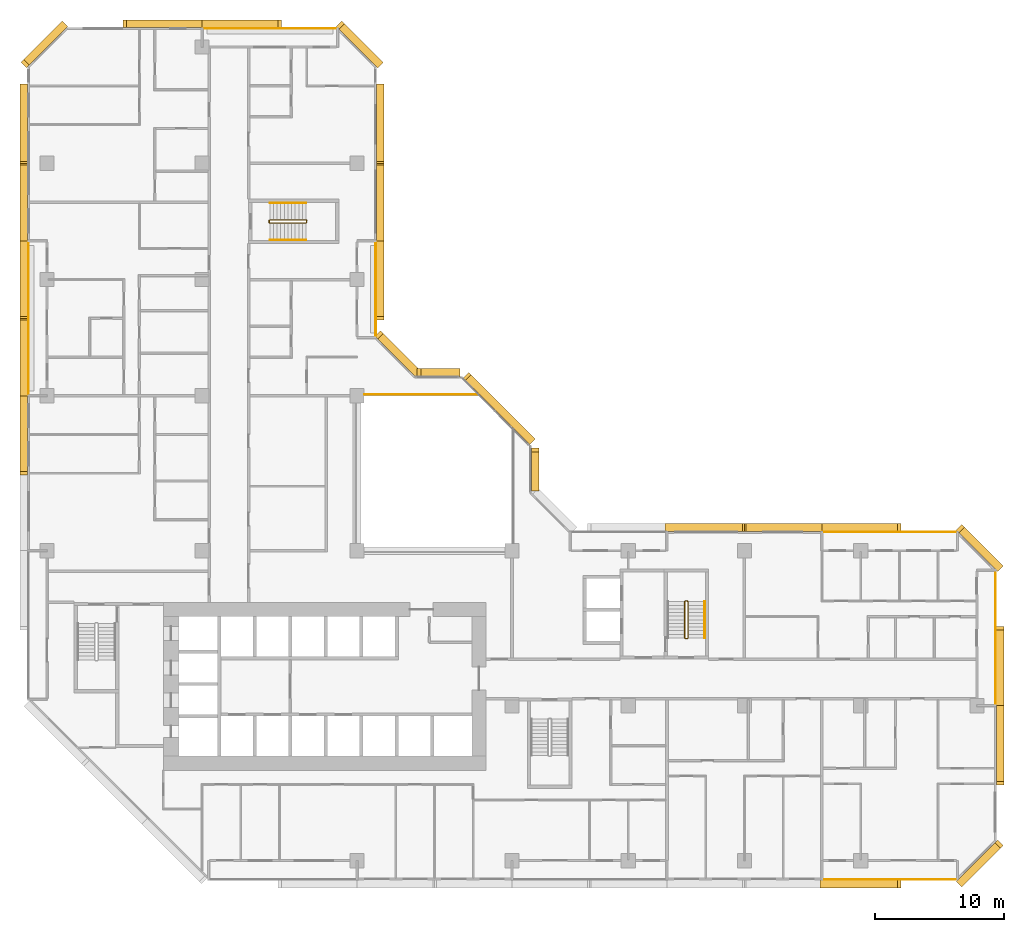
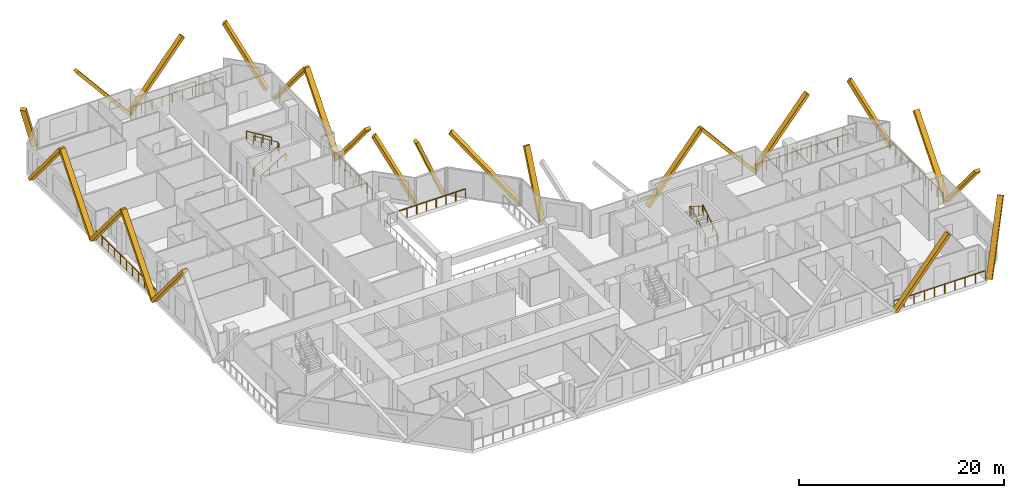
# One storey, part 15 of 15: 24 coverings, 12 railings.
"""IFC4 building model written with IfcOpenShell, lengths in metres."""

from ifc_helpers import new_model, si_unit, direction, frame, origin, origin_2d, place, context, subcontext, project, spatial, rectangle, extrude, material, material_profile, profile_set, type_object, element, save


model = new_model("IFC4")

# Units and contexts
model_context = context("Model", 3, precision=1e-05, world=origin(), true_north=direction((0.0, 1.0)))
body_context = subcontext(model_context, "Body", "Model", "MODEL_VIEW")
ifc_project = project(units=[si_unit("LENGTHUNIT", "METRE"), si_unit("AREAUNIT", "SQUARE_METRE"), si_unit("VOLUMEUNIT", "CUBIC_METRE"), si_unit("PLANEANGLEUNIT", "RADIAN"), si_unit("MASSUNIT", "GRAM", prefix="KILO")], contexts=[model_context])

# Site, building, storey
site_placement = place(None, origin())
site = spatial("IfcSite", under=ifc_project, at=site_placement, CompositionType="ELEMENT")
building_placement = place(site_placement, origin())
building = spatial("IfcBuilding", under=site, at=building_placement, Name="Chenar Terraces", CompositionType="ELEMENT")
storey_placement = place(building_placement, frame((0.0, 0.0, 41.39990234375)))
storey = spatial("IfcBuildingStorey", under=building, at=storey_placement, Name="L07", CompositionType="ELEMENT", Elevation=41.39990234375)

# Railings
ifc_material_1 = material(Name="Powder-coated steel", Category="steel")
railing_type_1 = type_object("IfcRailingType", Name="Guard 1100 steel rail with glass infill", PredefinedType="GUARDRAIL", material=ifc_material_1)
railing_1_placement = place(storey_placement, frame((24.60009765625, 36.10009765625, 0.0)))
element("IfcRailing", 1, at=railing_1_placement, inside=storey, type_object=railing_type_1, Name="Guard L07-2", PredefinedType="GUARDRAIL", context=body_context, shape_type="SweptSolid", body=[
    extrude(rectangle(XDim=0.06005859375, YDim=0.06005859375, at=origin_2d()), frame((0.0, 0.0, 1.070068359375), z_axis=(1.0, 0.0, 0.0), x_axis=(0.0, 1.0, 0.0)), (0.0, 0.0, 1.0), 8.7998046875),
    extrude(rectangle(XDim=0.050048828125, YDim=0.050048828125, at=origin_2d()), origin(), (0.0, 0.0, 1.0), 1.0400390625),
    extrude(rectangle(XDim=0.050048828125, YDim=0.050048828125, at=origin_2d()), frame((1.10009765625, 0.0, 0.0)), (0.0, 0.0, 1.0), 1.0400390625),
    extrude(rectangle(XDim=0.050048828125, YDim=0.050048828125, at=origin_2d()), frame((2.199951171875, 0.0, 0.0)), (0.0, 0.0, 1.0), 1.0400390625),
    extrude(rectangle(XDim=0.050048828125, YDim=0.050048828125, at=origin_2d()), frame((3.2998046875, 0.0, 0.0)), (0.0, 0.0, 1.0), 1.0400390625),
    extrude(rectangle(XDim=0.050048828125, YDim=0.050048828125, at=origin_2d()), frame((4.39990234375, 0.0, 0.0)), (0.0, 0.0, 1.0), 1.0400390625),
    extrude(rectangle(XDim=0.050048828125, YDim=0.050048828125, at=origin_2d()), frame((5.5, 0.0, 0.0)), (0.0, 0.0, 1.0), 1.0400390625),
    extrude(rectangle(XDim=0.050048828125, YDim=0.050048828125, at=origin_2d()), frame((6.599853515625, 0.0, 0.0)), (0.0, 0.0, 1.0), 1.0400390625),
    extrude(rectangle(XDim=0.050048828125, YDim=0.050048828125, at=origin_2d()), frame((7.69970703125, 0.0, 0.0)), (0.0, 0.0, 1.0), 1.0400390625),
    extrude(rectangle(XDim=0.050048828125, YDim=0.050048828125, at=origin_2d()), frame((8.7998046875, 0.0, 0.0)), (0.0, 0.0, 1.0), 1.0400390625),
])
ifc_material_2 = material(Name="Stainless steel and glass", Category="steel")
railing_type_2 = type_object("IfcRailingType", Name="Loggia guard 1150", PredefinedType="GUARDRAIL", material=ifc_material_2)
railing_2_placement = place(storey_placement, frame((25.449951171875, 40.574951171875, 0.0)))
element("IfcRailing", 2, at=railing_2_placement, inside=storey, type_object=railing_type_2, Name="Loggia guard", PredefinedType="GUARDRAIL", context=body_context, shape_type="SweptSolid", body=[
    extrude(rectangle(XDim=0.048095703125, YDim=0.048095703125, at=origin_2d()), frame((0.0, 0.0, 1.1259765625), z_axis=(0.0, 1.0, 0.0), x_axis=(-1.0, 0.0, 0.0)), (0.0, 0.0, 1.0), 7.35009765625),
    extrude(rectangle(XDim=0.0419921875, YDim=0.0419921875, at=origin_2d()), origin(), (0.0, 0.0, 1.0), 1.101806640625),
    extrude(rectangle(XDim=0.0419921875, YDim=0.0419921875, at=origin_2d()), frame((0.0, 1.050048828125, 0.0)), (0.0, 0.0, 1.0), 1.101806640625),
    extrude(rectangle(XDim=0.0419921875, YDim=0.0419921875, at=origin_2d()), frame((0.0, 2.10009765625, 0.0)), (0.0, 0.0, 1.0), 1.101806640625),
    extrude(rectangle(XDim=0.0419921875, YDim=0.0419921875, at=origin_2d()), frame((0.0, 3.150146484375, 0.0)), (0.0, 0.0, 1.0), 1.101806640625),
    extrude(rectangle(XDim=0.0419921875, YDim=0.0419921875, at=origin_2d()), frame((0.0, 4.199951171875, 0.0)), (0.0, 0.0, 1.0), 1.101806640625),
    extrude(rectangle(XDim=0.0419921875, YDim=0.0419921875, at=origin_2d()), frame((0.0, 5.25, 0.0)), (0.0, 0.0, 1.0), 1.101806640625),
    extrude(rectangle(XDim=0.0419921875, YDim=0.0419921875, at=origin_2d()), frame((0.0, 6.300048828125, 0.0)), (0.0, 0.0, 1.0), 1.101806640625),
    extrude(rectangle(XDim=0.0419921875, YDim=0.0419921875, at=origin_2d()), frame((0.0, 7.35009765625, 0.0)), (0.0, 0.0, 1.0), 1.101806640625),
])
railing_3_placement = place(storey_placement, frame((73.449951171875, 12.074951171875, 0.0)))
element("IfcRailing", 3, at=railing_3_placement, inside=storey, type_object=railing_type_2, Name="Loggia guard", PredefinedType="GUARDRAIL", context=body_context, shape_type="SweptSolid", body=[
    extrude(rectangle(XDim=0.048095703125, YDim=0.048095703125, at=origin_2d()), frame((0.0, 0.0, 1.1259765625), z_axis=(0.0, 1.0, 0.0), x_axis=(-1.0, 0.0, 0.0)), (0.0, 0.0, 1.0), 10.35009765625),
    extrude(rectangle(XDim=0.0419921875, YDim=0.0419921875, at=origin_2d()), origin(), (0.0, 0.0, 1.0), 1.101806640625),
    extrude(rectangle(XDim=0.0419921875, YDim=0.0419921875, at=origin_2d()), frame((0.0, 1.14990234375, 0.0)), (0.0, 0.0, 1.0), 1.101806640625),
    extrude(rectangle(XDim=0.0419921875, YDim=0.0419921875, at=origin_2d()), frame((0.0, 2.300048828125, 0.0)), (0.0, 0.0, 1.0), 1.101806640625),
    extrude(rectangle(XDim=0.0419921875, YDim=0.0419921875, at=origin_2d()), frame((0.0, 3.449951171875, 0.0)), (0.0, 0.0, 1.0), 1.101806640625),
    extrude(rectangle(XDim=0.0419921875, YDim=0.0419921875, at=origin_2d()), frame((0.0, 4.60009765625, 0.0)), (0.0, 0.0, 1.0), 1.101806640625),
    extrude(rectangle(XDim=0.0419921875, YDim=0.0419921875, at=origin_2d()), frame((0.0, 5.75, 0.0)), (0.0, 0.0, 1.0), 1.101806640625),
    extrude(rectangle(XDim=0.0419921875, YDim=0.0419921875, at=origin_2d()), frame((0.0, 6.900146484375, 0.0)), (0.0, 0.0, 1.0), 1.101806640625),
    extrude(rectangle(XDim=0.0419921875, YDim=0.0419921875, at=origin_2d()), frame((0.0, 8.050048828125, 0.0)), (0.0, 0.0, 1.0), 1.101806640625),
    extrude(rectangle(XDim=0.0419921875, YDim=0.0419921875, at=origin_2d()), frame((0.0, 9.2001953125, 0.0)), (0.0, 0.0, 1.0), 1.101806640625),
    extrude(rectangle(XDim=0.0419921875, YDim=0.0419921875, at=origin_2d()), frame((0.0, 10.35009765625, 0.0)), (0.0, 0.0, 1.0), 1.101806640625),
])
for number, where, name in (
    (4, (70.425048828125, 25.449951171875, 0.0), "Loggia guard"),
    (5, (22.425048828125, 64.449951171875, 0.0), "Loggia guard"),
):
    element("IfcRailing", number, at=place(storey_placement, frame(where)), inside=storey, type_object=railing_type_2, Name=name, PredefinedType="GUARDRAIL", context=body_context, shape_type="SweptSolid", body=[
        extrude(rectangle(XDim=0.048095703125, YDim=0.048095703125, at=origin_2d()), frame((0.0, 0.0, 1.1259765625), z_axis=(-1.0, 0.0, 0.0), x_axis=(0.0, -1.0, 0.0)), (0.0, 0.0, 1.0), 10.35009765625),
        extrude(rectangle(XDim=0.0419921875, YDim=0.0419921875, at=origin_2d()), origin(), (0.0, 0.0, 1.0), 1.101806640625),
        extrude(rectangle(XDim=0.0419921875, YDim=0.0419921875, at=origin_2d()), frame((-1.14990234375, 0.0, 0.0)), (0.0, 0.0, 1.0), 1.101806640625),
        extrude(rectangle(XDim=0.0419921875, YDim=0.0419921875, at=origin_2d()), frame((-2.300048828125, 0.0, 0.0)), (0.0, 0.0, 1.0), 1.101806640625),
        extrude(rectangle(XDim=0.0419921875, YDim=0.0419921875, at=origin_2d()), frame((-3.449951171875, 0.0, 0.0)), (0.0, 0.0, 1.0), 1.101806640625),
        extrude(rectangle(XDim=0.0419921875, YDim=0.0419921875, at=origin_2d()), frame((-4.60009765625, 0.0, 0.0)), (0.0, 0.0, 1.0), 1.101806640625),
        extrude(rectangle(XDim=0.0419921875, YDim=0.0419921875, at=origin_2d()), frame((-5.75, 0.0, 0.0)), (0.0, 0.0, 1.0), 1.101806640625),
        extrude(rectangle(XDim=0.0419921875, YDim=0.0419921875, at=origin_2d()), frame((-6.900146484375, 0.0, 0.0)), (0.0, 0.0, 1.0), 1.101806640625),
        extrude(rectangle(XDim=0.0419921875, YDim=0.0419921875, at=origin_2d()), frame((-8.050048828125, 0.0, 0.0)), (0.0, 0.0, 1.0), 1.101806640625),
        extrude(rectangle(XDim=0.0419921875, YDim=0.0419921875, at=origin_2d()), frame((-9.2001953125, 0.0, 0.0)), (0.0, 0.0, 1.0), 1.101806640625),
        extrude(rectangle(XDim=0.0419921875, YDim=0.0419921875, at=origin_2d()), frame((-10.35009765625, 0.0, 0.0)), (0.0, 0.0, 1.0), 1.101806640625),
    ])
railing_4_placement = place(storey_placement, frame((60.074951171875, -1.449951171875, 0.0)))
element("IfcRailing", 6, at=railing_4_placement, inside=storey, type_object=railing_type_2, Name="Loggia guard", PredefinedType="GUARDRAIL", context=body_context, shape_type="SweptSolid", body=[
    extrude(rectangle(XDim=0.048095703125, YDim=0.048095703125, at=origin_2d()), frame((0.0, 0.0, 1.1259765625), z_axis=(1.0, 0.0, 0.0), x_axis=(0.0, 1.0, 0.0)), (0.0, 0.0, 1.0), 10.35009765625),
    extrude(rectangle(XDim=0.0419921875, YDim=0.0419921875, at=origin_2d()), origin(), (0.0, 0.0, 1.0), 1.101806640625),
    extrude(rectangle(XDim=0.0419921875, YDim=0.0419921875, at=origin_2d()), frame((1.14990234375, 0.0, 0.0)), (0.0, 0.0, 1.0), 1.101806640625),
    extrude(rectangle(XDim=0.0419921875, YDim=0.0419921875, at=origin_2d()), frame((2.300048828125, 0.0, 0.0)), (0.0, 0.0, 1.0), 1.101806640625),
    extrude(rectangle(XDim=0.0419921875, YDim=0.0419921875, at=origin_2d()), frame((3.449951171875, 0.0, 0.0)), (0.0, 0.0, 1.0), 1.101806640625),
    extrude(rectangle(XDim=0.0419921875, YDim=0.0419921875, at=origin_2d()), frame((4.60009765625, 0.0, 0.0)), (0.0, 0.0, 1.0), 1.101806640625),
    extrude(rectangle(XDim=0.0419921875, YDim=0.0419921875, at=origin_2d()), frame((5.75, 0.0, 0.0)), (0.0, 0.0, 1.0), 1.101806640625),
    extrude(rectangle(XDim=0.0419921875, YDim=0.0419921875, at=origin_2d()), frame((6.900146484375, 0.0, 0.0)), (0.0, 0.0, 1.0), 1.101806640625),
    extrude(rectangle(XDim=0.0419921875, YDim=0.0419921875, at=origin_2d()), frame((8.050048828125, 0.0, 0.0)), (0.0, 0.0, 1.0), 1.101806640625),
    extrude(rectangle(XDim=0.0419921875, YDim=0.0419921875, at=origin_2d()), frame((9.2001953125, 0.0, 0.0)), (0.0, 0.0, 1.0), 1.101806640625),
    extrude(rectangle(XDim=0.0419921875, YDim=0.0419921875, at=origin_2d()), frame((10.35009765625, 0.0, 0.0)), (0.0, 0.0, 1.0), 1.101806640625),
])
railing_5_placement = place(storey_placement, frame((-1.449951171875, 47.925048828125, 0.0)))
element("IfcRailing", 7, at=railing_5_placement, inside=storey, type_object=railing_type_2, Name="Loggia guard", PredefinedType="GUARDRAIL", context=body_context, shape_type="SweptSolid", body=[
    extrude(rectangle(XDim=0.048095703125, YDim=0.048095703125, at=origin_2d()), frame((0.0, 0.0, 1.1259765625), z_axis=(0.0, -1.0, 0.0), x_axis=(1.0, 0.0, 0.0)), (0.0, 0.0, 1.0), 11.85009765625),
    extrude(rectangle(XDim=0.0419921875, YDim=0.0419921875, at=origin_2d()), origin(), (0.0, 0.0, 1.0), 1.101806640625),
    extrude(rectangle(XDim=0.0419921875, YDim=0.0419921875, at=origin_2d()), frame((0.0, -1.18505859375, 0.0)), (0.0, 0.0, 1.0), 1.101806640625),
    extrude(rectangle(XDim=0.0419921875, YDim=0.0419921875, at=origin_2d()), frame((0.0, -2.3701171875, 0.0)), (0.0, 0.0, 1.0), 1.101806640625),
    extrude(rectangle(XDim=0.0419921875, YDim=0.0419921875, at=origin_2d()), frame((0.0, -3.554931640625, 0.0)), (0.0, 0.0, 1.0), 1.101806640625),
    extrude(rectangle(XDim=0.0419921875, YDim=0.0419921875, at=origin_2d()), frame((0.0, -4.739990234375, 0.0)), (0.0, 0.0, 1.0), 1.101806640625),
    extrude(rectangle(XDim=0.0419921875, YDim=0.0419921875, at=origin_2d()), frame((0.0, -5.925048828125, 0.0)), (0.0, 0.0, 1.0), 1.101806640625),
    extrude(rectangle(XDim=0.0419921875, YDim=0.0419921875, at=origin_2d()), frame((0.0, -7.110107421875, 0.0)), (0.0, 0.0, 1.0), 1.101806640625),
    extrude(rectangle(XDim=0.0419921875, YDim=0.0419921875, at=origin_2d()), frame((0.0, -8.295166015625, 0.0)), (0.0, 0.0, 1.0), 1.101806640625),
    extrude(rectangle(XDim=0.0419921875, YDim=0.0419921875, at=origin_2d()), frame((0.0, -9.47998046875, 0.0)), (0.0, 0.0, 1.0), 1.101806640625),
    extrude(rectangle(XDim=0.0419921875, YDim=0.0419921875, at=origin_2d()), frame((0.0, -10.6650390625, 0.0)), (0.0, 0.0, 1.0), 1.101806640625),
    extrude(rectangle(XDim=0.0419921875, YDim=0.0419921875, at=origin_2d()), frame((0.0, -11.85009765625, 0.0)), (0.0, 0.0, 1.0), 1.101806640625),
])
ifc_material_3 = material(Name="Powder-coated steel", Category="steel")
railing_type_3 = type_object("IfcRailingType", Name="Stair guard 1100", PredefinedType="GUARDRAIL", material=ifc_material_3)
railing_6_placement = place(storey_placement, frame((49.375, 17.25, 3.75)))
element("IfcRailing", 8, at=railing_6_placement, inside=storey, type_object=railing_type_3, Name="L07 ST3 stair guard 1", PredefinedType="GUARDRAIL", context=body_context, shape_type="SweptSolid", body=[
    extrude(rectangle(XDim=0.048095703125, YDim=0.048095703125, at=origin_2d()), frame((0.0, 0.0, 1.076171875), z_axis=(0.0, 0.854202870247, -0.519939858505), x_axis=(-1.0, 0.0, 0.0)), (0.0, 0.0, 1.0), 3.278076171875),
    extrude(rectangle(XDim=0.048095703125, YDim=0.048095703125, at=origin_2d()), frame((0.0, 2.800048828125, -0.62841796875), z_axis=(0.270899902878, 0.270899902878, -0.923702595667), x_axis=(-0.707106781187, 0.707106781187, 0.0)), (0.0, 0.0, 1.0), 0.184814453125),
    extrude(rectangle(XDim=0.048095703125, YDim=0.048095703125, at=origin_2d()), frame((0.050048828125, 2.85009765625, -0.798828125), z_axis=(1.0, 0.0, 0.0), x_axis=(0.0, 1.0, 0.0)), (0.0, 0.0, 1.0), 0.14990234375),
    extrude(rectangle(XDim=0.048095703125, YDim=0.048095703125, at=origin_2d()), frame((0.199951171875, 2.85009765625, -0.798828125), z_axis=(0.707106781187, -0.707106781187, 0.0), x_axis=(0.707106781187, 0.707106781187, 0.0)), (0.0, 0.0, 1.0), 0.07080078125),
    extrude(rectangle(XDim=0.048095703125, YDim=0.048095703125, at=origin_2d()), frame((0.25, 2.800048828125, -0.798828125), z_axis=(0.0, -0.854202870247, -0.519939858505), x_axis=(1.0, 0.0, 0.0)), (0.0, 0.0, 1.0), 3.278076171875),
    extrude(rectangle(XDim=0.048095703125, YDim=0.048095703125, at=origin_2d()), frame((0.25, 0.0, -2.50341796875), z_axis=(-0.270899902878, -0.270899902878, -0.923702595667), x_axis=(0.707106781187, -0.707106781187, 0.0)), (0.0, 0.0, 1.0), 0.184814453125),
    extrude(rectangle(XDim=0.048095703125, YDim=0.048095703125, at=origin_2d()), frame((0.199951171875, -0.050048828125, -2.673828125), z_axis=(-1.0, 0.0, 0.0), x_axis=(0.0, -1.0, 0.0)), (0.0, 0.0, 1.0), 0.14990234375),
    extrude(rectangle(XDim=0.0419921875, YDim=0.0419921875, at=origin_2d()), origin(), (0.0, 0.0, 1.0), 1.052001953125),
    extrude(rectangle(XDim=0.0419921875, YDim=0.0419921875, at=origin_2d()), frame((0.0, 0.933349609375, -0.568115234375)), (0.0, 0.0, 1.0), 1.052001953125),
    extrude(rectangle(XDim=0.0419921875, YDim=0.0419921875, at=origin_2d()), frame((0.0, 1.86669921875, -1.13623046875)), (0.0, 0.0, 1.0), 1.052001953125),
    extrude(rectangle(XDim=0.0419921875, YDim=0.0419921875, at=origin_2d()), frame((0.0, 2.800048828125, -1.704345703125)), (0.0, 0.0, 1.0), 1.052001953125),
    extrude(rectangle(XDim=0.0419921875, YDim=0.0419921875, at=origin_2d()), frame((0.050048828125, 2.85009765625, -1.875)), (0.0, 0.0, 1.0), 1.052001953125),
    extrude(rectangle(XDim=0.0419921875, YDim=0.0419921875, at=origin_2d()), frame((0.199951171875, 2.85009765625, -1.875)), (0.0, 0.0, 1.0), 1.052001953125),
    extrude(rectangle(XDim=0.0419921875, YDim=0.0419921875, at=origin_2d()), frame((0.25, 2.800048828125, -1.875)), (0.0, 0.0, 1.0), 1.052001953125),
    extrude(rectangle(XDim=0.0419921875, YDim=0.0419921875, at=origin_2d()), frame((0.25, 1.86669921875, -2.443115234375)), (0.0, 0.0, 1.0), 1.052001953125),
    extrude(rectangle(XDim=0.0419921875, YDim=0.0419921875, at=origin_2d()), frame((0.25, 0.933349609375, -3.01123046875)), (0.0, 0.0, 1.0), 1.052001953125),
    extrude(rectangle(XDim=0.0419921875, YDim=0.0419921875, at=origin_2d()), frame((0.25, 0.0, -3.579345703125)), (0.0, 0.0, 1.0), 1.052001953125),
    extrude(rectangle(XDim=0.0419921875, YDim=0.0419921875, at=origin_2d()), frame((0.199951171875, -0.050048828125, -3.75)), (0.0, 0.0, 1.0), 1.052001953125),
    extrude(rectangle(XDim=0.0419921875, YDim=0.0419921875, at=origin_2d()), frame((0.050048828125, -0.050048828125, -3.75)), (0.0, 0.0, 1.0), 1.052001953125),
])
railing_7_placement = place(storey_placement, frame((17.25, 49.625, 3.75)))
element("IfcRailing", 9, at=railing_7_placement, inside=storey, type_object=railing_type_3, Name="L07 ST4 stair guard 1", PredefinedType="GUARDRAIL", context=body_context, shape_type="SweptSolid", body=[
    extrude(rectangle(XDim=0.048095703125, YDim=0.048095703125, at=origin_2d()), frame((0.0, 0.0, 1.076171875), z_axis=(0.854202870247, 0.0, -0.519939858505), x_axis=(0.0, 1.0, 0.0)), (0.0, 0.0, 1.0), 3.278076171875),
    extrude(rectangle(XDim=0.048095703125, YDim=0.048095703125, at=origin_2d()), frame((2.800048828125, 0.0, -0.62841796875), z_axis=(0.270899902878, -0.270899902878, -0.923702595667), x_axis=(0.707106781187, 0.707106781187, 0.0)), (0.0, 0.0, 1.0), 0.184814453125),
    extrude(rectangle(XDim=0.048095703125, YDim=0.048095703125, at=origin_2d()), frame((2.85009765625, -0.050048828125, -0.798828125), z_axis=(0.0, -1.0, 0.0), x_axis=(1.0, 0.0, 0.0)), (0.0, 0.0, 1.0), 0.14990234375),
    extrude(rectangle(XDim=0.048095703125, YDim=0.048095703125, at=origin_2d()), frame((2.85009765625, -0.199951171875, -0.798828125), z_axis=(-0.707106781187, -0.707106781187, 0.0), x_axis=(0.707106781187, -0.707106781187, 0.0)), (0.0, 0.0, 1.0), 0.07080078125),
    extrude(rectangle(XDim=0.048095703125, YDim=0.048095703125, at=origin_2d()), frame((2.800048828125, -0.25, -0.798828125), z_axis=(-0.854202870247, 0.0, -0.519939858505), x_axis=(0.0, -1.0, 0.0)), (0.0, 0.0, 1.0), 3.278076171875),
    extrude(rectangle(XDim=0.048095703125, YDim=0.048095703125, at=origin_2d()), frame((0.0, -0.25, -2.50341796875), z_axis=(-0.270899902878, 0.270899902878, -0.923702595667), x_axis=(-0.707106781187, -0.707106781187, 0.0)), (0.0, 0.0, 1.0), 0.184814453125),
    extrude(rectangle(XDim=0.048095703125, YDim=0.048095703125, at=origin_2d()), frame((-0.050048828125, -0.199951171875, -2.673828125), z_axis=(0.0, 1.0, 0.0), x_axis=(-1.0, 0.0, 0.0)), (0.0, 0.0, 1.0), 0.14990234375),
    extrude(rectangle(XDim=0.0419921875, YDim=0.0419921875, at=origin_2d()), origin(), (0.0, 0.0, 1.0), 1.052001953125),
    extrude(rectangle(XDim=0.0419921875, YDim=0.0419921875, at=origin_2d()), frame((0.933349609375, 0.0, -0.568115234375)), (0.0, 0.0, 1.0), 1.052001953125),
    extrude(rectangle(XDim=0.0419921875, YDim=0.0419921875, at=origin_2d()), frame((1.86669921875, 0.0, -1.13623046875)), (0.0, 0.0, 1.0), 1.052001953125),
    extrude(rectangle(XDim=0.0419921875, YDim=0.0419921875, at=origin_2d()), frame((2.800048828125, 0.0, -1.704345703125)), (0.0, 0.0, 1.0), 1.052001953125),
    extrude(rectangle(XDim=0.0419921875, YDim=0.0419921875, at=origin_2d()), frame((2.85009765625, -0.050048828125, -1.875)), (0.0, 0.0, 1.0), 1.052001953125),
    extrude(rectangle(XDim=0.0419921875, YDim=0.0419921875, at=origin_2d()), frame((2.85009765625, -0.199951171875, -1.875)), (0.0, 0.0, 1.0), 1.052001953125),
    extrude(rectangle(XDim=0.0419921875, YDim=0.0419921875, at=origin_2d()), frame((2.800048828125, -0.25, -1.875)), (0.0, 0.0, 1.0), 1.052001953125),
    extrude(rectangle(XDim=0.0419921875, YDim=0.0419921875, at=origin_2d()), frame((1.86669921875, -0.25, -2.443115234375)), (0.0, 0.0, 1.0), 1.052001953125),
    extrude(rectangle(XDim=0.0419921875, YDim=0.0419921875, at=origin_2d()), frame((0.933349609375, -0.25, -3.01123046875)), (0.0, 0.0, 1.0), 1.052001953125),
    extrude(rectangle(XDim=0.0419921875, YDim=0.0419921875, at=origin_2d()), frame((0.0, -0.25, -3.579345703125)), (0.0, 0.0, 1.0), 1.052001953125),
    extrude(rectangle(XDim=0.0419921875, YDim=0.0419921875, at=origin_2d()), frame((-0.050048828125, -0.199951171875, -3.75)), (0.0, 0.0, 1.0), 1.052001953125),
    extrude(rectangle(XDim=0.0419921875, YDim=0.0419921875, at=origin_2d()), frame((-0.050048828125, -0.050048828125, -3.75)), (0.0, 0.0, 1.0), 1.052001953125),
])
ifc_material_4 = material(Name="Powder-coated steel", Category="steel")
railing_type_4 = type_object("IfcRailingType", Name="Stair handrail 900", PredefinedType="HANDRAIL", material=ifc_material_4)
railing_8_placement = place(storey_placement, frame((50.925048828125, 17.25, 0.170654296875)))
element("IfcRailing", 10, at=railing_8_placement, inside=storey, type_object=railing_type_4, Name="L07 ST3 stair handrail 1", PredefinedType="HANDRAIL", context=body_context, shape_type="SweptSolid", body=[
    extrude(rectangle(XDim=0.048095703125, YDim=0.048095703125, at=origin_2d()), frame((0.0, 0.0, 0.8759765625), z_axis=(0.0, 0.854202870247, 0.519939858505), x_axis=(-1.0, 0.0, 0.0)), (0.0, 0.0, 1.0), 3.278076171875),
    extrude(rectangle(XDim=0.0419921875, YDim=0.0419921875, at=origin_2d()), origin(), (0.0, 0.0, 1.0), 0.851806640625),
    extrude(rectangle(XDim=0.0419921875, YDim=0.0419921875, at=origin_2d()), frame((0.0, 0.933349609375, 0.568115234375)), (0.0, 0.0, 1.0), 0.851806640625),
    extrude(rectangle(XDim=0.0419921875, YDim=0.0419921875, at=origin_2d()), frame((0.0, 1.86669921875, 1.13623046875)), (0.0, 0.0, 1.0), 0.851806640625),
    extrude(rectangle(XDim=0.0419921875, YDim=0.0419921875, at=origin_2d()), frame((0.0, 2.800048828125, 1.704345703125)), (0.0, 0.0, 1.0), 0.851806640625),
])
railing_9_placement = place(storey_placement, frame((17.25, 48.074951171875, 0.170654296875)))
element("IfcRailing", 11, at=railing_9_placement, inside=storey, type_object=railing_type_4, Name="L07 ST4 stair handrail 1", PredefinedType="HANDRAIL", context=body_context, shape_type="SweptSolid", body=[
    extrude(rectangle(XDim=0.048095703125, YDim=0.048095703125, at=origin_2d()), frame((0.0, 0.0, 0.8759765625), z_axis=(0.854202870247, 0.0, 0.519939858505), x_axis=(0.0, 1.0, 0.0)), (0.0, 0.0, 1.0), 3.278076171875),
    extrude(rectangle(XDim=0.0419921875, YDim=0.0419921875, at=origin_2d()), origin(), (0.0, 0.0, 1.0), 0.851806640625),
    extrude(rectangle(XDim=0.0419921875, YDim=0.0419921875, at=origin_2d()), frame((0.933349609375, 0.0, 0.568115234375)), (0.0, 0.0, 1.0), 0.851806640625),
    extrude(rectangle(XDim=0.0419921875, YDim=0.0419921875, at=origin_2d()), frame((1.86669921875, 0.0, 1.13623046875)), (0.0, 0.0, 1.0), 0.851806640625),
    extrude(rectangle(XDim=0.0419921875, YDim=0.0419921875, at=origin_2d()), frame((2.800048828125, 0.0, 1.704345703125)), (0.0, 0.0, 1.0), 0.851806640625),
])
railing_10_placement = place(storey_placement, frame((20.050048828125, 50.925048828125, 2.045654296875)))
element("IfcRailing", 12, at=railing_10_placement, inside=storey, type_object=railing_type_4, Name="L07 ST4 stair handrail 2", PredefinedType="HANDRAIL", context=body_context, shape_type="SweptSolid", body=[
    extrude(rectangle(XDim=0.048095703125, YDim=0.048095703125, at=origin_2d()), frame((0.0, 0.0, 0.8759765625), z_axis=(-0.854202870247, 0.0, 0.519939858505), x_axis=(0.0, -1.0, 0.0)), (0.0, 0.0, 1.0), 3.278076171875),
    extrude(rectangle(XDim=0.0419921875, YDim=0.0419921875, at=origin_2d()), origin(), (0.0, 0.0, 1.0), 0.851806640625),
    extrude(rectangle(XDim=0.0419921875, YDim=0.0419921875, at=origin_2d()), frame((-0.933349609375, 0.0, 0.568115234375)), (0.0, 0.0, 1.0), 0.851806640625),
    extrude(rectangle(XDim=0.0419921875, YDim=0.0419921875, at=origin_2d()), frame((-1.86669921875, 0.0, 1.13623046875)), (0.0, 0.0, 1.0), 0.851806640625),
    extrude(rectangle(XDim=0.0419921875, YDim=0.0419921875, at=origin_2d()), frame((-2.800048828125, 0.0, 1.704345703125)), (0.0, 0.0, 1.0), 0.851806640625),
])

# Coverings
ifc_material_5 = material(Name="Terracotta", Category="masonry")
ifc_material_profile = material_profile(ifc_material_5, rectangle(XDim=0.60009765625, YDim=0.35009765625, at=origin_2d()), Name="Terracotta baguette 600 x 350")
ifc_profile_set = profile_set([ifc_material_profile], Name="Terracotta")
covering_type = type_object("IfcCoveringType", Name="Terracotta baguette 600 x 350", PredefinedType="CLADDING", material=ifc_profile_set)
for number, where, z_axis, x_axis, name in (
    (13, (66.0, 25.800048828125, 7.35009765625), (-0.640186961885, 0.0, -0.768219144407), (0.0, -1.0, 0.0), "Terracotta baguette"),
    (14, (60.0, 25.800048828125, 0.150146484375), (-0.640186961885, 0.0, 0.768219144407), (0.0, -1.0, 0.0), "Terracotta baguette"),
    (15, (54.0, 25.800048828125, 7.35009765625), (-0.640186961885, 0.0, -0.768219144407), (0.0, -1.0, 0.0), "Terracotta baguette"),
):
    element("IfcCovering", number, at=place(storey_placement, frame(where, z_axis=z_axis, x_axis=x_axis)), inside=storey, type_object=covering_type, Name=name, PredefinedType="CLADDING", context=body_context, shape_type="SweptSolid", body=[
        extrude(rectangle(XDim=0.60009765625, YDim=0.35009765625, at=origin_2d()), origin(), (0.0, 0.0, 1.0), 9.372314453125),
    ])
covering_1_placement = place(storey_placement, frame((37.800048828125, 28.800048828125, 0.150146484375), z_axis=(0.0, 0.384617607118, 0.923075997031), x_axis=(-1.0, 0.0, 0.0)))
element("IfcCovering", 16, at=covering_1_placement, inside=storey, type_object=covering_type, Name="Terracotta baguette", PredefinedType="CLADDING", context=body_context, shape_type="SweptSolid", body=[
    extrude(rectangle(XDim=0.60009765625, YDim=0.35009765625, at=origin_2d()), origin(), (0.0, 0.0, 1.0), 7.800048828125),
])
covering_2_placement = place(storey_placement, frame((37.5, 32.524169921875, 0.150146484375), z_axis=(-0.494240720479, 0.494240720479, 0.715158877761), x_axis=(-0.707106781187, -0.707106781187, 0.0)))
element("IfcCovering", 17, at=covering_2_placement, inside=storey, type_object=covering_type, Name="Terracotta baguette", PredefinedType="CLADDING", context=body_context, shape_type="SweptSolid", body=[
    extrude(rectangle(XDim=0.60009765625, YDim=0.35009765625, at=origin_2d()), origin(), (0.0, 0.0, 1.0), 10.067626953125),
])
covering_3_placement = place(storey_placement, frame((31.800048828125, 37.800048828125, 0.150146484375), z_axis=(-0.384617607118, 0.0, 0.923075997031), x_axis=(0.0, -1.0, 0.0)))
element("IfcCovering", 18, at=covering_3_placement, inside=storey, type_object=covering_type, Name="Terracotta baguette", PredefinedType="CLADDING", context=body_context, shape_type="SweptSolid", body=[
    extrude(rectangle(XDim=0.60009765625, YDim=0.35009765625, at=origin_2d()), origin(), (0.0, 0.0, 1.0), 7.800048828125),
])
covering_4_placement = place(storey_placement, frame((28.712158203125, 37.712158203125, 0.150146484375), z_axis=(-0.358980886355, 0.358980886355, 0.861548284464), x_axis=(-0.707106781187, -0.707106781187, 0.0)))
element("IfcCovering", 19, at=covering_4_placement, inside=storey, type_object=covering_type, Name="Terracotta baguette", PredefinedType="CLADDING", context=body_context, shape_type="SweptSolid", body=[
    extrude(rectangle(XDim=0.60009765625, YDim=0.35009765625, at=origin_2d()), origin(), (0.0, 0.0, 1.0), 8.35693359375),
])
for number, where, z_axis, x_axis, name in (
    (20, (25.800048828125, 42.0, 7.35009765625), (0.0, 0.640186961885, -0.768219144407), (-1.0, 0.0, 0.0), "Terracotta baguette"),
    (21, (25.800048828125, 48.0, 0.150146484375), (0.0, 0.640186961885, 0.768219144407), (-1.0, 0.0, 0.0), "Terracotta baguette"),
    (22, (25.800048828125, 54.0, 7.35009765625), (0.0, 0.640186961885, -0.768219144407), (-1.0, 0.0, 0.0), "Terracotta baguette"),
):
    element("IfcCovering", number, at=place(storey_placement, frame(where, z_axis=z_axis, x_axis=x_axis)), inside=storey, type_object=covering_type, Name=name, PredefinedType="CLADDING", context=body_context, shape_type="SweptSolid", body=[
        extrude(rectangle(XDim=0.60009765625, YDim=0.35009765625, at=origin_2d()), origin(), (0.0, 0.0, 1.0), 9.372314453125),
    ])
covering_5_placement = place(storey_placement, frame((25.712158203125, 61.712158203125, 0.150146484375), z_axis=(-0.358980886355, 0.358980886355, 0.861548284464), x_axis=(-0.707106781187, -0.707106781187, 0.0)))
element("IfcCovering", 23, at=covering_5_placement, inside=storey, type_object=covering_type, Name="Terracotta baguette", PredefinedType="CLADDING", context=body_context, shape_type="SweptSolid", body=[
    extrude(rectangle(XDim=0.60009765625, YDim=0.35009765625, at=origin_2d()), origin(), (0.0, 0.0, 1.0), 8.35693359375),
])
for number, where, z_axis, x_axis, name in (
    (24, (18.0, 64.800048828125, 7.35009765625), (-0.640186961885, 0.0, -0.768219144407), (0.0, -1.0, 0.0), "Terracotta baguette"),
    (25, (12.0, 64.800048828125, 0.150146484375), (-0.640186961885, 0.0, 0.768219144407), (0.0, -1.0, 0.0), "Terracotta baguette"),
):
    element("IfcCovering", number, at=place(storey_placement, frame(where, z_axis=z_axis, x_axis=x_axis)), inside=storey, type_object=covering_type, Name=name, PredefinedType="CLADDING", context=body_context, shape_type="SweptSolid", body=[
        extrude(rectangle(XDim=0.60009765625, YDim=0.35009765625, at=origin_2d()), origin(), (0.0, 0.0, 1.0), 9.372314453125),
    ])
covering_6_placement = place(storey_placement, frame((1.287841796875, 64.712158203125, 0.150146484375), z_axis=(-0.358980886355, -0.358980886355, 0.861548284464), x_axis=(0.707106781187, -0.707106781187, 0.0)))
element("IfcCovering", 26, at=covering_6_placement, inside=storey, type_object=covering_type, Name="Terracotta baguette", PredefinedType="CLADDING", context=body_context, shape_type="SweptSolid", body=[
    extrude(rectangle(XDim=0.60009765625, YDim=0.35009765625, at=origin_2d()), origin(), (0.0, 0.0, 1.0), 8.35693359375),
])
for number, where, z_axis, x_axis, name in (
    (27, (-1.800048828125, 60.0, 0.150146484375), (0.0, -0.640186961885, 0.768219144407), (1.0, 0.0, 0.0), "Terracotta baguette"),
    (28, (-1.800048828125, 54.0, 7.35009765625), (0.0, -0.640186961885, -0.768219144407), (1.0, 0.0, 0.0), "Terracotta baguette"),
    (29, (-1.800048828125, 48.0, 0.150146484375), (0.0, -0.640186961885, 0.768219144407), (1.0, 0.0, 0.0), "Terracotta baguette"),
    (30, (-1.800048828125, 42.0, 7.35009765625), (0.0, -0.640186961885, -0.768219144407), (1.0, 0.0, 0.0), "Terracotta baguette"),
    (31, (-1.800048828125, 36.0, 0.150146484375), (0.0, -0.640186961885, 0.768219144407), (1.0, 0.0, 0.0), "Terracotta baguette"),
    (32, (60.0, -1.800048828125, 0.150146484375), (0.640186961885, 0.0, 0.768219144407), (0.0, 1.0, 0.0), "Terracotta baguette"),
):
    element("IfcCovering", number, at=place(storey_placement, frame(where, z_axis=z_axis, x_axis=x_axis)), inside=storey, type_object=covering_type, Name=name, PredefinedType="CLADDING", context=body_context, shape_type="SweptSolid", body=[
        extrude(rectangle(XDim=0.60009765625, YDim=0.35009765625, at=origin_2d()), origin(), (0.0, 0.0, 1.0), 9.372314453125),
    ])
covering_7_placement = place(storey_placement, frame((70.712158203125, -1.712158203125, 0.150146484375), z_axis=(0.358980886355, 0.358980886355, 0.861548284464), x_axis=(-0.707106781187, 0.707106781187, 0.0)))
element("IfcCovering", 33, at=covering_7_placement, inside=storey, type_object=covering_type, Name="Terracotta baguette", PredefinedType="CLADDING", context=body_context, shape_type="SweptSolid", body=[
    extrude(rectangle(XDim=0.60009765625, YDim=0.35009765625, at=origin_2d()), origin(), (0.0, 0.0, 1.0), 8.35693359375),
])
for number, where, z_axis, x_axis, name in (
    (34, (73.800048828125, 6.0, 7.35009765625), (0.0, 0.640186961885, -0.768219144407), (-1.0, 0.0, 0.0), "Terracotta baguette"),
    (35, (73.800048828125, 12.0, 0.150146484375), (0.0, 0.640186961885, 0.768219144407), (-1.0, 0.0, 0.0), "Terracotta baguette"),
):
    element("IfcCovering", number, at=place(storey_placement, frame(where, z_axis=z_axis, x_axis=x_axis)), inside=storey, type_object=covering_type, Name=name, PredefinedType="CLADDING", context=body_context, shape_type="SweptSolid", body=[
        extrude(rectangle(XDim=0.60009765625, YDim=0.35009765625, at=origin_2d()), origin(), (0.0, 0.0, 1.0), 9.372314453125),
    ])
covering_8_placement = place(storey_placement, frame((73.712158203125, 22.712158203125, 0.150146484375), z_axis=(-0.358980886355, 0.358980886355, 0.861548284464), x_axis=(-0.707106781187, -0.707106781187, 0.0)))
element("IfcCovering", 36, at=covering_8_placement, inside=storey, type_object=covering_type, Name="Terracotta baguette", PredefinedType="CLADDING", context=body_context, shape_type="SweptSolid", body=[
    extrude(rectangle(XDim=0.60009765625, YDim=0.35009765625, at=origin_2d()), origin(), (0.0, 0.0, 1.0), 8.35693359375),
])

save(model, "model.ifc")
